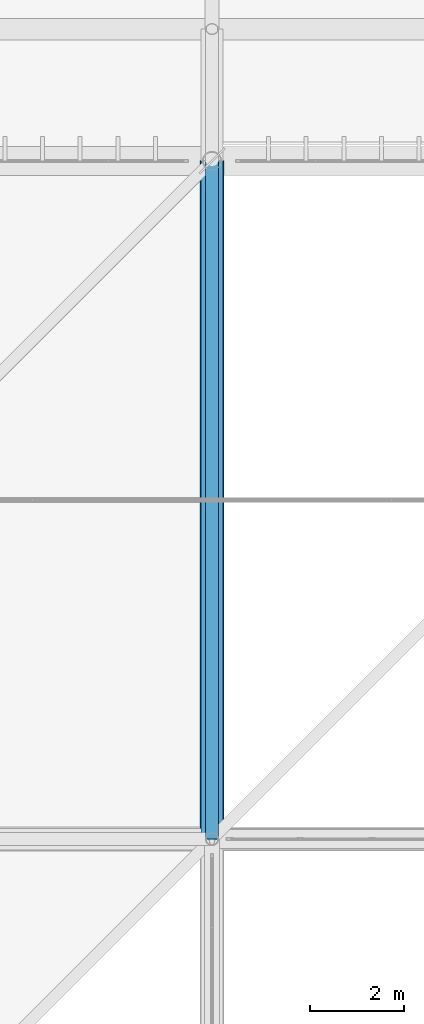
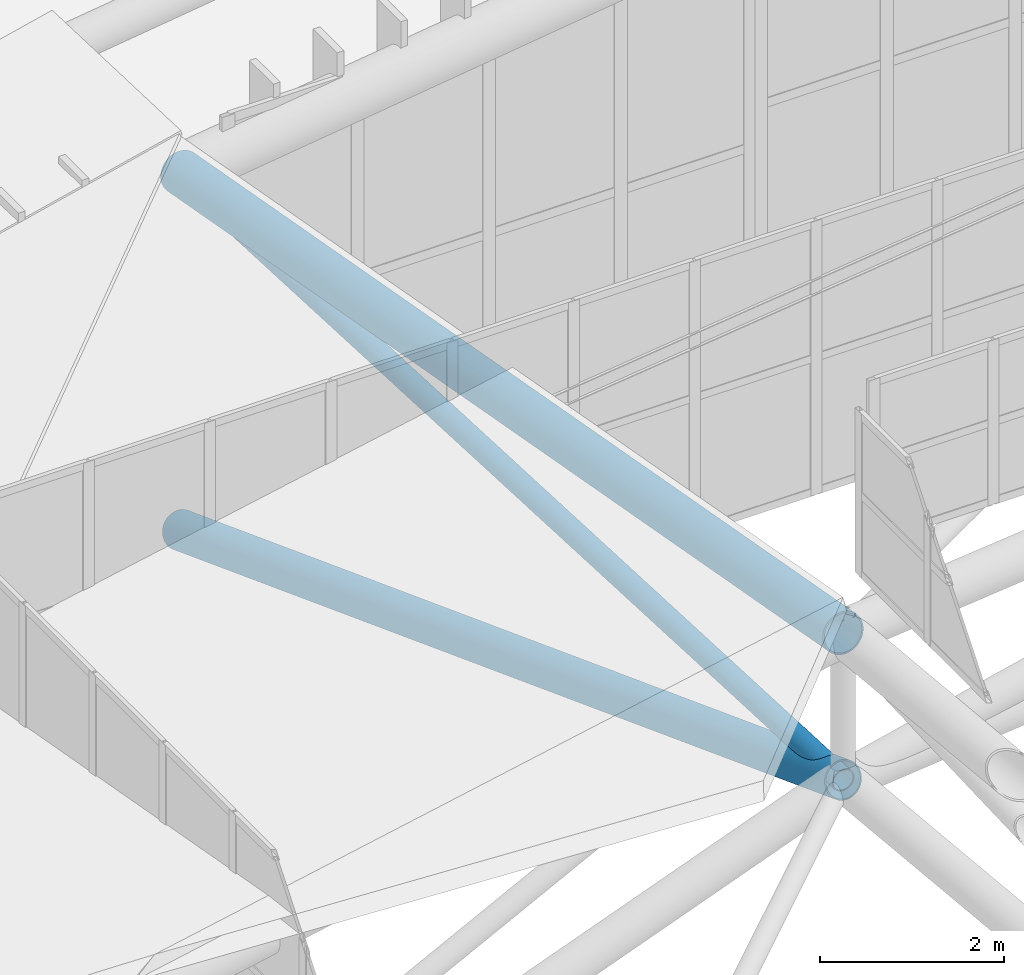
# One storey, part 225 of 397: 2 beams, 1 member.
"""IFC4 building model written with IfcOpenShell, lengths in metres."""

from ifc_helpers import new_model, si_unit, direction, frame, origin, origin_2d, place, context, subcontext, project, spatial, hollow_circle, extrude, material, material_profile, profile_set, type_object, element, save


model = new_model("IFC4")

# Units and contexts
model_context = context("Model", 3, precision=1e-05, world=origin(), true_north=direction((0.0, 1.0)))
body_context = subcontext(model_context, "Body", "Model", "MODEL_VIEW")
ifc_project = project(units=[si_unit("LENGTHUNIT", "METRE"), si_unit("AREAUNIT", "SQUARE_METRE"), si_unit("VOLUMEUNIT", "CUBIC_METRE"), si_unit("PLANEANGLEUNIT", "RADIAN"), si_unit("MASSUNIT", "GRAM", prefix="KILO")], contexts=[model_context])

# Site, building, storey
site_placement = place(None, origin())
site = spatial("IfcSite", under=ifc_project, at=site_placement, CompositionType="ELEMENT")
building_placement = place(site_placement, origin())
building = spatial("IfcBuilding", under=site, at=building_placement, Name="Qandorah Velis Arena", CompositionType="ELEMENT")
storey_placement = place(building_placement, frame((0.0, 0.0, 27.5)))
storey = spatial("IfcBuildingStorey", under=building, at=storey_placement, Name="RF", CompositionType="ELEMENT", Elevation=27.5)

# Beams
ifc_material = material(Name="Steel S355", Category="steel")
ifc_material_profile_1 = material_profile(ifc_material, hollow_circle(Radius=0.228515625, WallThickness=0.01611328125, at=origin_2d()), Name="CHS 457x16")
ifc_profile_set_1 = profile_set([ifc_material_profile_1], Name="Steel S355")
beam_type_1 = type_object("IfcBeamType", Name="STR-SFC-CHS457X16", PredefinedType="USERDEFINED", material=ifc_profile_set_1)
beam_1_placement = place(storey_placement, frame((28.800048828125, 100.800048828125, 5.515380859375), z_axis=(0.0, 0.936001385317, -0.351996316295), x_axis=(-1.0, 0.0, 0.0)))
element("IfcBeam", 1, at=beam_1_placement, inside=storey, type_object=beam_type_1, Name="Space frame roof truss bottom chord Y 1.6", ObjectType="ROOF TRUSS", PredefinedType="USERDEFINED", context=body_context, shape_type="SweptSolid", body=[
    extrude(hollow_circle(Radius=0.228515625, WallThickness=0.01611328125, at=origin_2d()), origin(), (0.0, 0.0, 1.0), 15.384521484375),
])
ifc_material_profile_2 = material_profile(ifc_material, hollow_circle(Radius=0.25390625, WallThickness=0.02001953125, at=origin_2d()), Name="CHS 508x20")
ifc_profile_set_2 = profile_set([ifc_material_profile_2], Name="Steel S355")
beam_type_2 = type_object("IfcBeamType", Name="STR-SFC-CHS508X20", PredefinedType="USERDEFINED", material=ifc_profile_set_2)
beam_2_placement = place(storey_placement, frame((28.800048828125, 100.800048828125, 7.46533203125), z_axis=(0.0, 0.983925646185, -0.178578617924), x_axis=(-1.0, 0.0, 0.0)))
element("IfcBeam", 2, at=beam_2_placement, inside=storey, type_object=beam_type_2, Name="Space frame roof truss top chord Y 1.6", ObjectType="ROOF TRUSS", PredefinedType="USERDEFINED", context=body_context, shape_type="SweptSolid", body=[
    extrude(hollow_circle(Radius=0.25390625, WallThickness=0.02001953125, at=origin_2d()), origin(), (0.0, 0.0, 1.0), 14.63525390625),
])

# Member
ifc_material_profile_3 = material_profile(ifc_material, hollow_circle(Radius=0.136474609375, WallThickness=0.012451171875, at=origin_2d()), Name="CHS 273x12.5")
ifc_profile_set_3 = profile_set([ifc_material_profile_3], Name="Steel S355")
member_type = type_object("IfcMemberType", Name="STR-SFD-CHS273X12", PredefinedType="STRUT", material=ifc_profile_set_3)
member_placement = place(storey_placement, frame((28.800048828125, 100.800048828125, 5.515380859375), z_axis=(0.0, 0.99893991934, -0.046033004998), x_axis=(-1.0, 0.0, 0.0)))
element("IfcMember", 3, at=member_placement, inside=storey, type_object=member_type, Name="Space frame roof diagonal Y 1.6", PredefinedType="STRUT", context=body_context, shape_type="SweptSolid", body=[
    extrude(hollow_circle(Radius=0.136474609375, WallThickness=0.012451171875, at=origin_2d()), origin(), (0.0, 0.0, 1.0), 14.415283203125),
])

save(model, "model.ifc")
